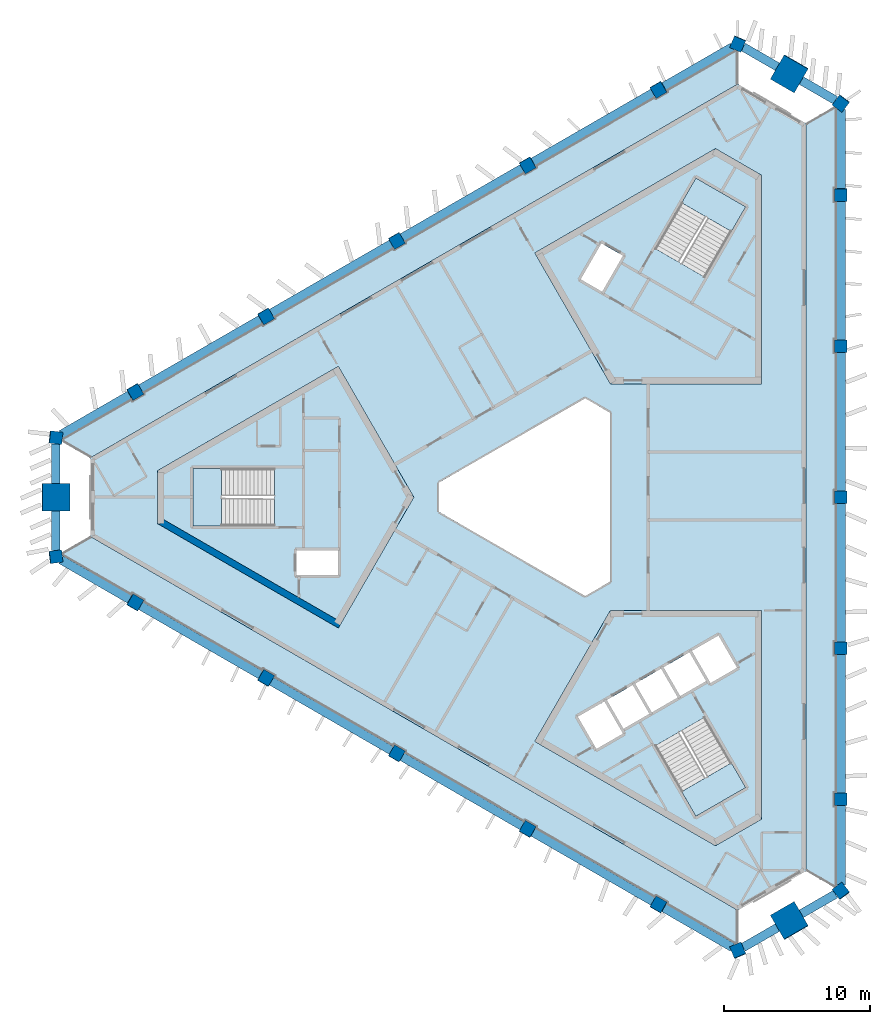
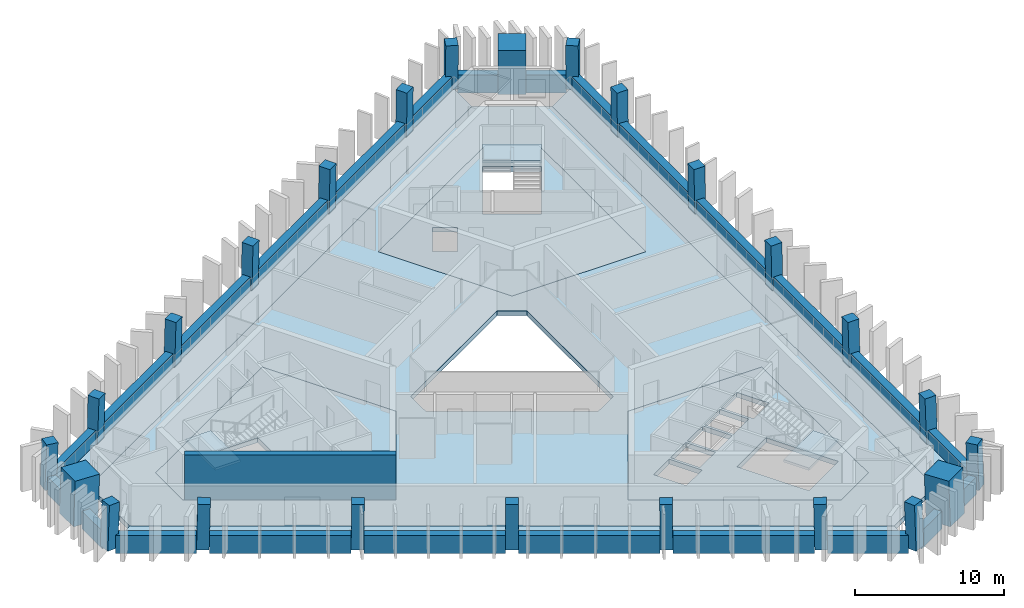
# One storey, part 1 of 9: 24 beams, 24 columns, 10 slabs, 1 wall, 3 elements without a shape of their own.
"""IFC4 building model written with IfcOpenShell, lengths in metres."""

import ifcopenshell
import ifcopenshell.guid

model = None  # the IFC model being written
_history = None  # IfcOwnerHistory: only IFC2X3 demands one
_inside = {}  # id of a spatial element -> (the spatial element, [elements in it])
_under = {}  # id of a project, library or spatial element -> (it, [spatial elements below it])
_declared = {}  # id of a project -> (the project, [libraries it declares])
_typed = {}  # id of a type object -> (the type object, [elements of that type])
_made_of = {}  # id of a material, layer set ... -> (it, [elements and type objects made of it])


def new_model(schema):
    """Start an empty IFC model of exactly this schema.

    Asked for "IFC4X3", IfcOpenShell would pick the latest addendum, in which some entities
    have other attributes; the version numbers below select the first issue.
    IFC2X3 requires an IfcOwnerHistory on every rooted entity: one is made here for all.
    """
    global model, _history
    if schema == "IFC4X3":
        model = ifcopenshell.file(schema_version=(4, 3, 0, 0))
    else:
        model = ifcopenshell.file(schema=schema)
    _inside.clear()
    _under.clear()
    _declared.clear()
    _typed.clear()
    _made_of.clear()
    _history = None
    if model.schema == "IFC2X3":
        org = make("IfcOrganization", Name="unknown")
        user = make(
            "IfcPersonAndOrganization",
            ThePerson=make("IfcPerson", FamilyName="unknown"),
            TheOrganization=org,
        )
        app = make(
            "IfcApplication",
            ApplicationDeveloper=org,
            Version="unknown",
            ApplicationFullName="unknown",
            ApplicationIdentifier="unknown",
        )
        _history = make(
            "IfcOwnerHistory",
            OwningUser=user,
            OwningApplication=app,
            ChangeAction="ADDED",
            CreationDate=0,
        )
    return model


def make(cls, **values):
    """One entity of the class cls with the attributes given. An attribute that is None is left unset."""
    return model.create_entity(
        cls, **{name: value for name, value in values.items() if value is not None}
    )


def rooted(cls, **values):
    """An entity with a GlobalId (a new one), such as an element, a storey or a relation."""
    return make(cls, GlobalId=ifcopenshell.guid.new(), OwnerHistory=_history, **values)


def si_unit(unit_type, name, prefix=None):
    """IfcSIUnit, for example si_unit("LENGTHUNIT", "METRE", prefix="MILLI")."""
    return make("IfcSIUnit", UnitType=unit_type, Prefix=prefix, Name=name)


def assignment(units):
    """IfcUnitAssignment: the units of a project."""
    return None if units is None else make("IfcUnitAssignment", Units=units)


def point(xyz):
    """IfcCartesianPoint."""
    return None if xyz is None else make("IfcCartesianPoint", Coordinates=xyz)


def direction(xyz):
    """IfcDirection."""
    return None if xyz is None else make("IfcDirection", DirectionRatios=xyz)


def frame(location, z_axis=None, x_axis=None):
    """IfcAxis2Placement3D, a coordinate frame: its origin and axes. An axis left out is left unset."""
    return make(
        "IfcAxis2Placement3D",
        Location=point(location),
        Axis=direction(z_axis),
        RefDirection=direction(x_axis),
    )


def frame_2d(location, x_axis=None):
    """IfcAxis2Placement2D, a coordinate frame in the plane: its origin and x axis."""
    return make(
        "IfcAxis2Placement2D", Location=point(location), RefDirection=direction(x_axis)
    )


def origin():
    """The frame at (0, 0, 0) with its axes left unset."""
    return frame((0.0, 0.0, 0.0))


def origin_2d():
    """The frame at (0, 0) in the plane with its x axis left unset."""
    return frame_2d((0.0, 0.0))


def place(relative_to, where):
    """IfcLocalPlacement: puts the frame where relative to a parent placement (None: the world)."""
    return make(
        "IfcLocalPlacement", PlacementRelTo=relative_to, RelativePlacement=where
    )


def context(
    kind, dimensions, precision=None, world=None, true_north=None, identifier=None
):
    """IfcGeometricRepresentationContext, for example the 3D "Model" context."""
    return make(
        "IfcGeometricRepresentationContext",
        ContextIdentifier=identifier,
        ContextType=kind,
        CoordinateSpaceDimension=dimensions,
        Precision=precision,
        WorldCoordinateSystem=world,
        TrueNorth=true_north,
    )


def subcontext(parent, identifier, kind, view, scale=None):
    """IfcGeometricRepresentationSubContext, for example "Body" below "Model"."""
    return make(
        "IfcGeometricRepresentationSubContext",
        ContextIdentifier=identifier,
        ContextType=kind,
        ParentContext=parent,
        TargetScale=scale,
        TargetView=view,
    )


def project(units=None, contexts=None):
    """IfcProject with its units and contexts."""
    return rooted(
        "IfcProject",
        Name="project",
        RepresentationContexts=contexts,
        UnitsInContext=assignment(units),
    )


def spatial(cls, under=None, at=None, **own):
    """A site, building, storey or space (cls), placed at a placement, below another one or the project."""
    s = rooted(cls, ObjectPlacement=at, **own)
    if under is not None:
        _under.setdefault(under.id(), (under, []))[1].append(s)
    return s


def polyline(points):
    """IfcPolyline through the points."""
    return make("IfcPolyline", Points=[point(p) for p in points])


def profile(cls, at=None, kind="AREA", **sizes):
    """A parametric profile (cls). Its sizes go by their IFC names, for example OverallWidth=200.0."""
    return make(cls, ProfileType=kind, Position=at, **sizes)


def rectangle(**sizes):
    """IfcRectangleProfileDef."""
    return profile("IfcRectangleProfileDef", **sizes)


def outline(outer, holes=None, kind="AREA"):
    """IfcArbitraryClosedProfileDef: a profile drawn as a closed curve; with holes, ...WithVoids."""
    if holes is None:
        return make("IfcArbitraryClosedProfileDef", ProfileType=kind, OuterCurve=outer)
    return make(
        "IfcArbitraryProfileDefWithVoids",
        ProfileType=kind,
        OuterCurve=outer,
        InnerCurves=holes,
    )


def extrude(swept, where, along, depth):
    """IfcExtrudedAreaSolid: the profile swept, set in the frame where, extruded along a direction by depth."""
    return make(
        "IfcExtrudedAreaSolid",
        SweptArea=swept,
        Position=where,
        ExtrudedDirection=direction(along),
        Depth=depth,
    )


def shape(context_of_items, identifier, shape_type, items):
    """IfcShapeRepresentation: the items that make up one representation, for example the "Body"."""
    return make(
        "IfcShapeRepresentation",
        ContextOfItems=context_of_items,
        RepresentationIdentifier=identifier,
        RepresentationType=shape_type,
        Items=items,
    )


def material(Name=None, Category=None):
    """IfcMaterial."""
    return make("IfcMaterial", Name=Name, Category=Category)


def layer(
    of_material, thickness, ventilated=None, Name=None, Category=None, Priority=None
):
    """IfcMaterialLayer: one layer of a wall or slab, of a material (None: an air gap)."""
    return make(
        "IfcMaterialLayer",
        Material=of_material,
        LayerThickness=thickness,
        IsVentilated=ventilated,
        Name=Name,
        Category=Category,
        Priority=Priority,
    )


def layer_set(layers, Name=None):
    """IfcMaterialLayerSet."""
    return make("IfcMaterialLayerSet", MaterialLayers=layers, LayerSetName=Name)


def material_profile(
    of_material, cross_section, Name=None, Category=None, Priority=None
):
    """IfcMaterialProfile: a cross section and its material."""
    return make(
        "IfcMaterialProfile",
        Name=Name,
        Material=of_material,
        Profile=cross_section,
        Priority=Priority,
        Category=Category,
    )


def profile_set(profiles, Name=None, composite=None):
    """IfcMaterialProfileSet."""
    return make(
        "IfcMaterialProfileSet",
        Name=Name,
        MaterialProfiles=profiles,
        CompositeProfile=composite,
    )


def made_of(thing, what):
    """Note that an element or type object is made of a material, layer set ...; save() writes the relation."""
    if what is not None:
        _made_of.setdefault(what.id(), (what, []))[1].append(thing)
    return thing


def type_object(cls, material=None, **own):
    """A type object (cls), such as IfcWallType, which elements share."""
    return made_of(rooted(cls, **own), material)


def element(
    cls,
    number,
    at=None,
    inside=None,
    cuts=None,
    type_object=None,
    material=None,
    context=None,
    identifier="Body",
    shape_type=None,
    held_by="IfcProductDefinitionShape",
    body=None,
    shapes=None,
    **own,
):
    """One element of the class cls, such as IfcWall. Its Tag is "e" and its number.

    at: its placement. inside: the storey or other place that contains it. cuts: it is an
    opening in that element (IfcRelVoidsElement). A single representation is given by context,
    identifier, shape_type and body (its items); several are given by shapes. held_by: the class
    of the entity that holds the representations. save() writes the other relations.
    """
    e = rooted(cls, Tag="e%d" % number, ObjectPlacement=at, **own)
    if body is not None:
        shapes = [shape(context, identifier, shape_type, body)]
    if shapes is not None:
        e.Representation = make(held_by, Representations=shapes)
    if inside is not None:
        _inside.setdefault(inside.id(), (inside, []))[1].append(e)
    if cuts is not None:
        rooted(
            "IfcRelVoidsElement", RelatingBuildingElement=cuts, RelatedOpeningElement=e
        )
    if type_object is not None:
        _typed.setdefault(type_object.id(), (type_object, []))[1].append(e)
    return made_of(e, material)


def aggregate(whole, parts):
    """IfcRelAggregates: a whole, such as a stair, and the parts it consists of."""
    return rooted("IfcRelAggregates", RelatingObject=whole, RelatedObjects=parts)


def save(model, path):
    """Write the relations noted so far, then the file.

    IfcRelAggregates (storeys below a building ...), IfcRelContainedInSpatialStructure (elements
    in a storey), IfcRelDefinesByType, IfcRelAssociatesMaterial and IfcRelDeclares: one each for
    every whole, place, type object, material and project.
    """
    for whole, parts in _under.values():
        aggregate(whole, parts)
    for where, things in _inside.values():
        rooted(
            "IfcRelContainedInSpatialStructure",
            RelatedElements=things,
            RelatingStructure=where,
        )
    for kind, things in _typed.values():
        rooted("IfcRelDefinesByType", RelatedObjects=things, RelatingType=kind)
    for what, things in _made_of.values():
        rooted("IfcRelAssociatesMaterial", RelatedObjects=things, RelatingMaterial=what)
    for by, libraries in _declared.values():
        rooted("IfcRelDeclares", RelatingContext=by, RelatedDefinitions=libraries)
    model.write(path)


model = new_model("IFC4")

# Units and contexts
model_context = context("Model", 3, precision=1e-05, world=origin(), true_north=direction((0.0, 1.0)))
body_context = subcontext(model_context, "Body", "Model", "MODEL_VIEW")
ifc_project = project(units=[si_unit("LENGTHUNIT", "METRE"), si_unit("AREAUNIT", "SQUARE_METRE"), si_unit("VOLUMEUNIT", "CUBIC_METRE"), si_unit("PLANEANGLEUNIT", "RADIAN"), si_unit("MASSUNIT", "GRAM", prefix="KILO")], contexts=[model_context])

# Site, building, storey
site_placement = place(None, origin())
site = spatial("IfcSite", under=ifc_project, at=site_placement, CompositionType="ELEMENT")
building_placement = place(site_placement, origin())
building = spatial("IfcBuilding", under=site, at=building_placement, Name="Jabali Bay Hotel Tower and Convention Centre", CompositionType="ELEMENT")
storey_placement = place(building_placement, frame((0.0, 0.0, 213.199951171875)))
storey = spatial("IfcBuildingStorey", under=building, at=storey_placement, Name="L52", CompositionType="ELEMENT", Elevation=213.199951171875)

# Columns
ifc_material_1 = material(Name="Concrete C60", Category="concrete")
ifc_material_profile_1 = material_profile(ifc_material_1, rectangle(XDim=0.85009765625, YDim=0.85009765625, at=origin_2d()), Name="Frame column 850")
ifc_profile_set_1 = profile_set([ifc_material_profile_1], Name="Concrete C60")
column_type_1 = type_object("IfcColumnType", Name="Frame column 850", PredefinedType="COLUMN", material=ifc_profile_set_1)
column_1_placement = place(storey_placement, frame((82.81396484375, 108.010986328125, 0.0), z_axis=(-0.00837646992, -0.028097450282, 0.999570091609), x_axis=(0.866168540849, 0.499298149106, 0.021293593943)))
element("IfcColumn", 1, at=column_1_placement, inside=storey, type_object=column_type_1, Name="FC5 F1.1 L52", PredefinedType="COLUMN", context=body_context, shape_type="SweptSolid", body=[
    extrude(rectangle(XDim=0.85009765625, YDim=0.85009765625, at=origin_2d()), origin(), (0.0, 0.0, 1.0), 3.70166015625),
])
column_2_placement = place(storey_placement, frame((73.819091796875, 102.81787109375, 0.0), z_axis=(0.000857580205, -0.022758859284, 0.9997406158), x_axis=(0.86599968756, 0.499931370183, 0.010637962836)))
element("IfcColumn", 2, at=column_2_placement, inside=storey, type_object=column_type_1, Name="FC5 F1.2 L52", PredefinedType="COLUMN", context=body_context, shape_type="SweptSolid", body=[
    extrude(rectangle(XDim=0.85009765625, YDim=0.85009765625, at=origin_2d()), origin(), (0.0, 0.0, 1.0), 3.700927734375),
])
column_3_placement = place(storey_placement, frame((64.82421875, 97.624755859375, 0.0), z_axis=(0.010093620709, -0.017482414954, 0.999796221231), x_axis=(0.866011056618, 0.500024849197, 4.54858e-07)))
element("IfcColumn", 3, at=column_3_placement, inside=storey, type_object=column_type_1, Name="FC5 F1.3 L52", PredefinedType="COLUMN", context=body_context, shape_type="SweptSolid", body=[
    extrude(rectangle(XDim=0.85009765625, YDim=0.85009765625, at=origin_2d()), origin(), (0.0, 0.0, 1.0), 3.70068359375),
])
column_4_placement = place(storey_placement, frame((55.82958984375, 92.431640625, 0.0), z_axis=(0.019328516974, -0.012138044789, 0.999739504221), x_axis=(-0.500205614953, 0.865671455024, 0.020181048691)))
element("IfcColumn", 4, at=column_4_placement, inside=storey, type_object=column_type_1, Name="FC5 F1.4 L52", PredefinedType="COLUMN", context=body_context, shape_type="SweptSolid", body=[
    extrude(rectangle(XDim=0.85009765625, YDim=0.85009765625, at=origin_2d()), origin(), (0.0, 0.0, 1.0), 3.700927734375),
])
for number, where, z_axis, x_axis, name in (
    (5, (46.834716796875, 87.238525390625, 0.0), (0.02855911485, -0.006793507689, 0.999569019734), (-0.500407643461, 0.865554709988, 0.020180049142), "FC5 F1.5 L52"),
    (6, (46.834716796875, 72.761474609375, 0.0), (0.02855911485, 0.006793507689, 0.999569019734), (-0.865318766308, 0.500768301983, 0.021319953197), "FC5 F2.1 L52"),
):
    element("IfcColumn", number, at=place(storey_placement, frame(where, z_axis=z_axis, x_axis=x_axis)), inside=storey, type_object=column_type_1, Name=name, PredefinedType="COLUMN", context=body_context, shape_type="SweptSolid", body=[
        extrude(rectangle(XDim=0.85009765625, YDim=0.85009765625, at=origin_2d()), origin(), (0.0, 0.0, 1.0), 3.70166015625),
    ])
column_5_placement = place(storey_placement, frame((55.82958984375, 67.568359375, 0.0), z_axis=(0.019328516974, 0.012138044789, 0.999739504221), x_axis=(-0.865690909737, 0.500465383244, 0.010660627254)))
element("IfcColumn", 7, at=column_5_placement, inside=storey, type_object=column_type_1, Name="FC5 F2.2 L52", PredefinedType="COLUMN", context=body_context, shape_type="SweptSolid", body=[
    extrude(rectangle(XDim=0.85009765625, YDim=0.85009765625, at=origin_2d()), origin(), (0.0, 0.0, 1.0), 3.700927734375),
])
column_6_placement = place(storey_placement, frame((64.82421875, 62.375244140625, 0.0), z_axis=(0.010093620709, 0.017482414954, 0.999796221231), x_axis=(-0.499922962701, -0.86583457736, 0.020187025819)))
element("IfcColumn", 8, at=column_6_placement, inside=storey, type_object=column_type_1, Name="FC5 F2.3 L52", PredefinedType="COLUMN", context=body_context, shape_type="SweptSolid", body=[
    extrude(rectangle(XDim=0.85009765625, YDim=0.85009765625, at=origin_2d()), origin(), (0.0, 0.0, 1.0), 3.70068359375),
])
column_7_placement = place(storey_placement, frame((73.819091796875, 57.18212890625, 0.0), z_axis=(0.000857580205, 0.022758859284, 0.9997406158), x_axis=(-0.500043803784, -0.865765938017, 0.020137896276)))
element("IfcColumn", 9, at=column_7_placement, inside=storey, type_object=column_type_1, Name="FC5 F2.4 L52", PredefinedType="COLUMN", context=body_context, shape_type="SweptSolid", body=[
    extrude(rectangle(XDim=0.85009765625, YDim=0.85009765625, at=origin_2d()), origin(), (0.0, 0.0, 1.0), 3.700927734375),
])
for number, where, z_axis, x_axis, name in (
    (10, (82.81396484375, 51.989013671875, 0.0), (-0.00837646992, 0.028097450282, 0.999570091609), (-0.49968179234, -0.865974532874, 0.020154771585), "FC5 F2.5 L52"),
    (11, (95.351318359375, 59.2275390625, 0.0), (-0.020182659751, 0.021303918626, 0.999569308901), (0.000227900758, -0.999772829271, 0.021312857901), "FC5 F0.1 L52"),
):
    element("IfcColumn", number, at=place(storey_placement, frame(where, z_axis=z_axis, x_axis=x_axis)), inside=storey, type_object=column_type_1, Name=name, PredefinedType="COLUMN", context=body_context, shape_type="SweptSolid", body=[
        extrude(rectangle(XDim=0.85009765625, YDim=0.85009765625, at=origin_2d()), origin(), (0.0, 0.0, 1.0), 3.70166015625),
    ])
column_8_placement = place(storey_placement, frame((95.351318359375, 69.61376953125, 0.0), z_axis=(-0.020186102726, 0.010620792611, 0.999739826165), x_axis=(0.001527236974, -0.999942080601, 0.010653778257)))
element("IfcColumn", 12, at=column_8_placement, inside=storey, type_object=column_type_1, Name="FC5 F0.2 L52", PredefinedType="COLUMN", context=body_context, shape_type="SweptSolid", body=[
    extrude(rectangle(XDim=0.85009765625, YDim=0.85009765625, at=origin_2d()), origin(), (0.0, 0.0, 1.0), 3.700927734375),
])
column_9_placement = place(storey_placement, frame((95.351318359375, 80.0, 0.0), z_axis=(-0.020187241331, 0.0, 0.99979621688), x_axis=(0.0, -1.0, 0.0)))
element("IfcColumn", 13, at=column_9_placement, inside=storey, type_object=column_type_1, Name="FC5 F0.3 L52", PredefinedType="COLUMN", context=body_context, shape_type="SweptSolid", body=[
    extrude(rectangle(XDim=0.85009765625, YDim=0.85009765625, at=origin_2d()), origin(), (0.0, 0.0, 1.0), 3.70068359375),
])
column_10_placement = place(storey_placement, frame((95.351318359375, 90.38623046875, 0.0), z_axis=(-0.020186102726, -0.010620792611, 0.999739826165), x_axis=(0.999795073405, -0.001741897889, 0.020168713091)))
element("IfcColumn", 14, at=column_10_placement, inside=storey, type_object=column_type_1, Name="FC5 F0.4 L52", PredefinedType="COLUMN", context=body_context, shape_type="SweptSolid", body=[
    extrude(rectangle(XDim=0.85009765625, YDim=0.85009765625, at=origin_2d()), origin(), (0.0, 0.0, 1.0), 3.700927734375),
])
column_11_placement = place(storey_placement, frame((95.351318359375, 100.7724609375, 0.0), z_axis=(-0.020182659751, -0.021303918626, 0.999569308901), x_axis=(0.999796283403, -0.000657952763, 0.020173219662)))
element("IfcColumn", 15, at=column_11_placement, inside=storey, type_object=column_type_1, Name="FC5 F0.5 L52", PredefinedType="COLUMN", context=body_context, shape_type="SweptSolid", body=[
    extrude(rectangle(XDim=0.85009765625, YDim=0.85009765625, at=origin_2d()), origin(), (0.0, 0.0, 1.0), 3.70166015625),
])
for number, where, z_axis, x_axis, name in (
    (16, (95.351318359375, 52.931884765625, 0.0), (-0.020178741915, 0.029015184452, 0.999375273581), (-0.799395553745, -0.600803671998, 0.001302446469), "FC5 V0 L52"),
    (17, (95.351318359375, 107.068115234375, 0.0), (-0.020178741915, -0.029015184452, 0.999375273581), (0.600466124796, 0.798869868492, 0.035318071681), "FC5 V1 L52"),
    (18, (88.265869140625, 111.158935546875, 0.0), (-0.015035141917, -0.031982648376, 0.99937533225), (0.920043883105, -0.391813165225, 0.00130258134), "FC5 V2 L52"),
    (19, (41.382568359375, 84.0908203125, 0.0), (0.03521388716, -0.002967462401, 0.999375393092), (-0.992074225191, 0.120588574935, 0.035314689682), "FC5 V3 L52"),
    (20, (41.382568359375, 75.9091796875, 0.0), (0.03521388716, 0.002967462401, 0.999375393092), (-0.120618049491, 0.992698136274, 0.001302449508), "FC5 V4 L52"),
    (21, (88.265869140625, 48.841064453125, 0.0), (-0.015035141917, 0.031982648376, 0.99937533225), (0.391526752175, -0.919488745858, 0.035316406548), "FC5 V5 L52"),
):
    element("IfcColumn", number, at=place(storey_placement, frame(where, z_axis=z_axis, x_axis=x_axis)), inside=storey, type_object=column_type_1, Name=name, PredefinedType="COLUMN", context=body_context, shape_type="SweptSolid", body=[
        extrude(rectangle(XDim=0.85009765625, YDim=0.85009765625, at=origin_2d()), origin(), (0.0, 0.0, 1.0), 3.7021484375),
    ])
ifc_material_2 = material(Name="Concrete C70", Category="concrete")
ifc_material_profile_2 = material_profile(ifc_material_2, rectangle(XDim=1.89990234375, YDim=1.89990234375, at=origin_2d()), Name="Mega column 1900")
ifc_profile_set_2 = profile_set([ifc_material_profile_2], Name="Concrete C70")
column_type_2 = type_object("IfcColumnType", Name="Mega column 1900", PredefinedType="COLUMN", material=ifc_profile_set_2)
for number, where, z_axis, x_axis, name in (
    (22, (91.80859375, 109.113525390625, 0.0), (-0.017607001884, -0.030531992032, 0.999378702468), (0.866280455458, -0.499557977108, 1.01498e-07), "MC5 M1 L52"),
    (23, (41.382568359375, 80.0, 0.0), (0.035214042205, 0.0, 0.999379793288), (0.0, 1.0, 0.0), "MC5 M0 L52"),
    (24, (91.80859375, 50.886474609375, 0.0), (-0.017607001884, 0.030531992032, 0.999378702468), (0.499247599871, -0.865742239336, 0.035244986208), "MC5 M2 L52"),
):
    element("IfcColumn", number, at=place(storey_placement, frame(where, z_axis=z_axis, x_axis=x_axis)), inside=storey, type_object=column_type_2, Name=name, PredefinedType="COLUMN", context=body_context, shape_type="SweptSolid", body=[
        extrude(rectangle(XDim=1.89990234375, YDim=1.89990234375, at=origin_2d()), origin(), (0.0, 0.0, 1.0), 3.7021484375),
    ])

# Beams
ifc_material_profile_3 = material_profile(ifc_material_1, rectangle(XDim=0.60009765625, YDim=1.449951171875, at=origin_2d()), Name="Spandrel 600x1450")
ifc_profile_set_3 = profile_set([ifc_material_profile_3], Name="Concrete C60")
beam_type = type_object("IfcBeamType", Name="Spandrel 600x1450", PredefinedType="SPANDREL", material=ifc_profile_set_3)
beam_1_placement = place(storey_placement, frame((90.979248046875, 109.576904296875, 0.375), z_axis=(-0.865998365587, 0.500046828608, 0.0), x_axis=(-0.500046828608, -0.865998365587, 0.0)))
element("IfcBeam", 25, at=beam_1_placement, inside=storey, type_object=beam_type, Name="Spandrel M1-V2 L52", PredefinedType="SPANDREL", context=body_context, shape_type="SweptSolid", body=[
    extrude(rectangle(XDim=0.60009765625, YDim=1.449951171875, at=origin_2d()), origin(), (0.0, 0.0, 1.0), 2.714599609375),
])
beam_2_placement = place(storey_placement, frame((87.892333984375, 110.934326171875, 0.375), z_axis=(-0.866042916308, -0.499969666192, 0.0), x_axis=(0.499969666192, -0.866042916308, 0.0)))
element("IfcBeam", 26, at=beam_2_placement, inside=storey, type_object=beam_type, Name="Spandrel V2-F1.1 L52", PredefinedType="SPANDREL", context=body_context, shape_type="SweptSolid", body=[
    extrude(rectangle(XDim=0.60009765625, YDim=1.449951171875, at=origin_2d()), origin(), (0.0, 0.0, 1.0), 5.442626953125),
])
beam_3_placement = place(storey_placement, frame((82.442626953125, 107.7880859375, 0.375), z_axis=(-0.866024789953, -0.500001063185, 0.0), x_axis=(0.500001063185, -0.866024789953, 0.0)))
element("IfcBeam", 27, at=beam_3_placement, inside=storey, type_object=beam_type, Name="Spandrel F1.1-F1.2 L52", PredefinedType="SPANDREL", context=body_context, shape_type="SweptSolid", body=[
    extrude(rectangle(XDim=0.60009765625, YDim=1.449951171875, at=origin_2d()), origin(), (0.0, 0.0, 1.0), 9.5322265625),
])
beam_4_placement = place(storey_placement, frame((73.451416015625, 102.596923828125, 0.375), z_axis=(-0.866031192814, -0.499989972973, 0.0), x_axis=(0.499989972973, -0.866031192814, 0.0)))
element("IfcBeam", 28, at=beam_4_placement, inside=storey, type_object=beam_type, Name="Spandrel F1.2-F1.3 L52", PredefinedType="SPANDREL", context=body_context, shape_type="SweptSolid", body=[
    extrude(rectangle(XDim=0.60009765625, YDim=1.449951171875, at=origin_2d()), origin(), (0.0, 0.0, 1.0), 9.532470703125),
])
for number, where, z_axis, x_axis, name in (
    (29, (64.4599609375, 97.40576171875, 0.375), (-0.866024789953, -0.500001063185, 0.0), (0.500001063185, -0.866024789953, 0.0), "Spandrel F1.3-F1.4 L52"),
    (30, (55.46875, 92.214599609375, 0.375), (-0.866024789953, -0.500001063185, 0.0), (0.500001063185, -0.866024789953, 0.0), "Spandrel F1.4-F1.5 L52"),
):
    element("IfcBeam", number, at=place(storey_placement, frame(where, z_axis=z_axis, x_axis=x_axis)), inside=storey, type_object=beam_type, Name=name, PredefinedType="SPANDREL", context=body_context, shape_type="SweptSolid", body=[
        extrude(rectangle(XDim=0.60009765625, YDim=1.449951171875, at=origin_2d()), origin(), (0.0, 0.0, 1.0), 9.5322265625),
    ])
beam_5_placement = place(storey_placement, frame((46.477294921875, 87.0234375, 0.375), z_axis=(-0.86603170291, -0.499989089435, 0.0), x_axis=(0.499989089435, -0.86603170291, 0.0)))
element("IfcBeam", 31, at=beam_5_placement, inside=storey, type_object=beam_type, Name="Spandrel F1.5-V3 L52", PredefinedType="SPANDREL", context=body_context, shape_type="SweptSolid", body=[
    extrude(rectangle(XDim=0.60009765625, YDim=1.449951171875, at=origin_2d()), origin(), (0.0, 0.0, 1.0), 5.4423828125),
])
for number, where, z_axis, x_axis, name in (
    (32, (41.39599609375, 83.66455078125, 0.375), (0.0, -1.0, 0.0), (1.0, 0.0, 0.0), "Spandrel V3-M0 L52"),
    (33, (41.39599609375, 79.050048828125, 0.375), (0.0, -1.0, 0.0), (1.0, 0.0, 0.0), "Spandrel M0-V4 L52"),
):
    element("IfcBeam", number, at=place(storey_placement, frame(where, z_axis=z_axis, x_axis=x_axis)), inside=storey, type_object=beam_type, Name=name, PredefinedType="SPANDREL", context=body_context, shape_type="SweptSolid", body=[
        extrude(rectangle(XDim=0.60009765625, YDim=1.449951171875, at=origin_2d()), origin(), (0.0, 0.0, 1.0), 2.714599609375),
    ])
beam_6_placement = place(storey_placement, frame((41.763916015625, 75.69775390625, 0.375), z_axis=(0.86603170291, -0.499989089435, 0.0), x_axis=(0.499989089435, 0.86603170291, 0.0)))
element("IfcBeam", 34, at=beam_6_placement, inside=storey, type_object=beam_type, Name="Spandrel V4-F2.1 L52", PredefinedType="SPANDREL", context=body_context, shape_type="SweptSolid", body=[
    extrude(rectangle(XDim=0.60009765625, YDim=1.449951171875, at=origin_2d()), origin(), (0.0, 0.0, 1.0), 5.4423828125),
])
for number, where, z_axis, x_axis, name in (
    (35, (47.213623046875, 72.551513671875, 0.375), (0.866024789953, -0.500001063185, 0.0), (0.500001063185, 0.866024789953, 0.0), "Spandrel F2.1-F2.2 L52"),
    (36, (56.204833984375, 67.3603515625, 0.375), (0.866024789953, -0.500001063185, 0.0), (0.500001063185, 0.866024789953, 0.0), "Spandrel F2.2-F2.3 L52"),
):
    element("IfcBeam", number, at=place(storey_placement, frame(where, z_axis=z_axis, x_axis=x_axis)), inside=storey, type_object=beam_type, Name=name, PredefinedType="SPANDREL", context=body_context, shape_type="SweptSolid", body=[
        extrude(rectangle(XDim=0.60009765625, YDim=1.449951171875, at=origin_2d()), origin(), (0.0, 0.0, 1.0), 9.5322265625),
    ])
beam_7_placement = place(storey_placement, frame((65.196044921875, 62.169189453125, 0.375), z_axis=(0.866031192814, -0.499989972973, 0.0), x_axis=(0.499989972973, 0.866031192814, 0.0)))
element("IfcBeam", 37, at=beam_7_placement, inside=storey, type_object=beam_type, Name="Spandrel F2.3-F2.4 L52", PredefinedType="SPANDREL", context=body_context, shape_type="SweptSolid", body=[
    extrude(rectangle(XDim=0.60009765625, YDim=1.449951171875, at=origin_2d()), origin(), (0.0, 0.0, 1.0), 9.532470703125),
])
beam_8_placement = place(storey_placement, frame((74.1875, 56.97802734375, 0.375), z_axis=(0.866024789953, -0.500001063185, 0.0), x_axis=(0.500001063185, 0.866024789953, 0.0)))
element("IfcBeam", 38, at=beam_8_placement, inside=storey, type_object=beam_type, Name="Spandrel F2.4-F2.5 L52", PredefinedType="SPANDREL", context=body_context, shape_type="SweptSolid", body=[
    extrude(rectangle(XDim=0.60009765625, YDim=1.449951171875, at=origin_2d()), origin(), (0.0, 0.0, 1.0), 9.5322265625),
])
beam_9_placement = place(storey_placement, frame((83.1787109375, 51.786865234375, 0.375), z_axis=(0.866042916308, -0.499969666192, 0.0), x_axis=(0.499969666192, 0.866042916308, 0.0)))
element("IfcBeam", 39, at=beam_9_placement, inside=storey, type_object=beam_type, Name="Spandrel F2.5-V5 L52", PredefinedType="SPANDREL", context=body_context, shape_type="SweptSolid", body=[
    extrude(rectangle(XDim=0.60009765625, YDim=1.449951171875, at=origin_2d()), origin(), (0.0, 0.0, 1.0), 5.442626953125),
])
for number, where, z_axis, x_axis, name in (
    (40, (88.62841796875, 49.065673828125, 0.375), (0.865998365587, 0.500046828608, 0.0), (-0.500046828608, 0.865998365587, 0.0), "Spandrel V5-M2 L52"),
    (41, (92.624755859375, 51.373046875, 0.375), (0.866059791431, 0.499940434119, 0.0), (-0.499940434119, 0.866059791431, 0.0), "Spandrel M2-V0 L52"),
):
    element("IfcBeam", number, at=place(storey_placement, frame(where, z_axis=z_axis, x_axis=x_axis)), inside=storey, type_object=beam_type, Name=name, PredefinedType="SPANDREL", context=body_context, shape_type="SweptSolid", body=[
        extrude(rectangle(XDim=0.60009765625, YDim=1.449951171875, at=origin_2d()), origin(), (0.0, 0.0, 1.0), 2.714599609375),
    ])
beam_10_placement = place(storey_placement, frame((95.34375, 53.367919921875, 0.375), z_axis=(0.0, 1.0, 0.0), x_axis=(-1.0, 0.0, 0.0)))
element("IfcBeam", 42, at=beam_10_placement, inside=storey, type_object=beam_type, Name="Spandrel V0-F0.1 L52", PredefinedType="SPANDREL", context=body_context, shape_type="SweptSolid", body=[
    extrude(rectangle(XDim=0.60009765625, YDim=1.449951171875, at=origin_2d()), origin(), (0.0, 0.0, 1.0), 5.442626953125),
])
for number, where, z_axis, x_axis, name in (
    (43, (95.34375, 59.660400390625, 0.375), (0.0, 1.0, 0.0), (-1.0, 0.0, 0.0), "Spandrel F0.1-F0.2 L52"),
    (44, (95.34375, 70.042724609375, 0.375), (0.0, 1.0, 0.0), (-1.0, 0.0, 0.0), "Spandrel F0.2-F0.3 L52"),
    (45, (95.34375, 80.425048828125, 0.375), (0.0, 1.0, 0.0), (-1.0, 0.0, 0.0), "Spandrel F0.3-F0.4 L52"),
    (46, (95.34375, 90.807373046875, 0.375), (0.0, 1.0, 0.0), (-1.0, 0.0, 0.0), "Spandrel F0.4-F0.5 L52"),
):
    element("IfcBeam", number, at=place(storey_placement, frame(where, z_axis=z_axis, x_axis=x_axis)), inside=storey, type_object=beam_type, Name=name, PredefinedType="SPANDREL", context=body_context, shape_type="SweptSolid", body=[
        extrude(rectangle(XDim=0.60009765625, YDim=1.449951171875, at=origin_2d()), origin(), (0.0, 0.0, 1.0), 9.5322265625),
    ])
beam_11_placement = place(storey_placement, frame((95.34375, 101.189453125, 0.375), z_axis=(0.0, 1.0, 0.0), x_axis=(-1.0, 0.0, 0.0)))
element("IfcBeam", 47, at=beam_11_placement, inside=storey, type_object=beam_type, Name="Spandrel F0.5-V1 L52", PredefinedType="SPANDREL", context=body_context, shape_type="SweptSolid", body=[
    extrude(rectangle(XDim=0.60009765625, YDim=1.449951171875, at=origin_2d()), origin(), (0.0, 0.0, 1.0), 5.442626953125),
])
beam_12_placement = place(storey_placement, frame((94.975830078125, 107.269775390625, 0.375), z_axis=(-0.866059791431, 0.499940434119, 0.0), x_axis=(-0.499940434119, -0.866059791431, 0.0)))
element("IfcBeam", 48, at=beam_12_placement, inside=storey, type_object=beam_type, Name="Spandrel V1-M1 L52", PredefinedType="SPANDREL", context=body_context, shape_type="SweptSolid", body=[
    extrude(rectangle(XDim=0.60009765625, YDim=1.449951171875, at=origin_2d()), origin(), (0.0, 0.0, 1.0), 2.714599609375),
])

# Slabs
ifc_material_3 = material(Name="Concrete C40", Category="concrete")
ifc_layer_1 = layer(ifc_material_3, 0.39990234375)
ifc_layer_set_1 = layer_set([ifc_layer_1], Name="Concrete C40")
slab_type_1 = type_object("IfcSlabType", Name="Core floor slab 400", PredefinedType="FLOOR", material=ifc_layer_set_1)
slab_1_placement = place(storey_placement, frame((0.0, 0.0, -0.39990234375)))
element("IfcSlab", 49, at=slab_1_placement, inside=storey, type_object=slab_type_1, Name="Core floor slab 1 L52", PredefinedType="FLOOR", context=body_context, shape_type="SweptSolid", body=[
    extrude(outline(polyline([(66.0, 80.0), (60.81005859375, 88.9892578125), (48.39697265625, 81.82275390625), (48.39697265625, 78.17724609375), (60.81005859375, 71.0107421875), (66.0, 80.0)]), holes=[polyline([(60.800048828125, 76.35009765625), (57.949951171875, 76.35009765625), (57.949951171875, 74.64990234375), (60.800048828125, 74.64990234375), (60.800048828125, 76.35009765625)]), polyline([(50.820068359375, 81.97509765625), (50.820068359375, 78.02490234375), (56.409912109375, 78.02490234375), (56.409912109375, 81.97509765625), (50.820068359375, 81.97509765625)])]), origin(), (0.0, 0.0, 1.0), 0.39990234375),
])
slab_2_placement = place(storey_placement, frame((0.0, 0.0, -0.39990234375)))
element("IfcSlab", 50, at=slab_2_placement, inside=storey, type_object=slab_type_1, Name="Core floor slab 2 L52", PredefinedType="FLOOR", context=body_context, shape_type="SweptSolid", body=[
    extrude(outline(polyline([(79.5, 87.794189453125), (89.8798828125, 87.794189453125), (89.8798828125, 102.127685546875), (86.72314453125, 103.9501953125), (74.31005859375, 96.78369140625), (79.5, 87.794189453125)]), holes=[polyline([(78.93896484375, 94.12255859375), (80.364013671875, 96.5908203125), (78.891845703125, 97.440673828125), (77.466796875, 94.97265625), (78.93896484375, 94.12255859375)]), polyline([(88.80029296875, 99.952880859375), (85.379638671875, 101.927978515625), (82.584716796875, 97.0869140625), (86.00537109375, 95.11181640625), (88.80029296875, 99.952880859375)])]), origin(), (0.0, 0.0, 1.0), 0.39990234375),
])
slab_3_placement = place(storey_placement, frame((0.0, 0.0, -0.39990234375)))
element("IfcSlab", 51, at=slab_3_placement, inside=storey, type_object=slab_type_1, Name="Core floor slab 3 L52", PredefinedType="FLOOR", context=body_context, shape_type="SweptSolid", body=[
    extrude(outline(polyline([(79.5, 72.205810546875), (74.31005859375, 63.21630859375), (86.72314453125, 56.0498046875), (89.8798828125, 57.872314453125), (89.8798828125, 72.205810546875), (79.5, 72.205810546875)]), holes=[polyline([(82.584716796875, 62.9130859375), (85.379638671875, 58.072021484375), (88.80029296875, 60.047119140625), (86.00537109375, 64.88818359375), (82.584716796875, 62.9130859375)]), polyline([(80.365478515625, 63.756591796875), (79.090576171875, 65.96484375), (77.27197265625, 64.9150390625), (78.546875, 62.70654296875), (80.365478515625, 63.756591796875)]), polyline([(82.17919921875, 65.115478515625), (81.0390625, 67.08984375), (79.263671875, 66.06494140625), (80.40380859375, 64.09033203125), (82.17919921875, 65.115478515625)]), polyline([(82.98779296875, 68.21484375), (81.21240234375, 67.18994140625), (82.352294921875, 65.21533203125), (84.127685546875, 66.240478515625), (82.98779296875, 68.21484375)]), polyline([(86.076171875, 67.365478515625), (84.936279296875, 69.33984375), (83.160888671875, 68.31494140625), (84.30078125, 66.34033203125), (86.076171875, 67.365478515625)]), polyline([(88.203125, 68.281494140625), (86.927978515625, 70.489990234375), (85.109375, 69.43994140625), (86.384521484375, 67.231689453125), (88.203125, 68.281494140625)])]), origin(), (0.0, 0.0, 1.0), 0.39990234375),
])
ifc_layer_2 = layer(ifc_material_3, 0.199951171875)
ifc_layer_set_2 = layer_set([ifc_layer_2], Name="Concrete C40")
slab_type_2 = type_object("IfcSlabType", Name="Loggia slab 200", PredefinedType="FLOOR", material=ifc_layer_set_2)
slab_4_placement = place(storey_placement, frame((0.0, 0.0, -0.199951171875)))
element("IfcSlab", 52, at=slab_4_placement, inside=storey, type_object=slab_type_2, Name="Loggia slab east face L52", PredefinedType="FLOOR", context=body_context, shape_type="SweptSolid", body=[
    extrude(outline(polyline([(92.951416015625, 105.682373046875), (94.951416015625, 106.837158203125), (95.05126953125, 106.761962890625), (95.05126953125, 101.197509765625), (94.92626953125, 101.197509765625), (94.92626953125, 100.34765625), (95.05126953125, 100.34765625), (95.05126953125, 90.811279296875), (94.92626953125, 90.811279296875), (94.92626953125, 89.961181640625), (95.05126953125, 89.961181640625), (95.05126953125, 80.425048828125), (94.92626953125, 80.425048828125), (94.92626953125, 79.574951171875), (95.05126953125, 79.574951171875), (95.05126953125, 70.038818359375), (94.92626953125, 70.038818359375), (94.92626953125, 69.188720703125), (95.05126953125, 69.188720703125), (95.05126953125, 59.65234375), (94.92626953125, 59.65234375), (94.92626953125, 58.802490234375), (95.05126953125, 58.802490234375), (95.05126953125, 53.238037109375), (94.951416015625, 53.162841796875), (92.951416015625, 54.317626953125), (92.951416015625, 105.682373046875)])), origin(), (0.0, 0.0, 1.0), 0.199951171875),
])
slab_5_placement = place(storey_placement, frame((0.0, 0.0, -0.199951171875)))
element("IfcSlab", 53, at=slab_5_placement, inside=storey, type_object=slab_type_2, Name="Loggia slab north-west face L52", PredefinedType="FLOOR", context=body_context, shape_type="SweptSolid", body=[
    extrude(outline(polyline([(43.78271484375, 82.705078125), (41.78271484375, 83.85986328125), (41.7978515625, 83.984130859375), (46.61669921875, 86.76611328125), (46.67919921875, 86.657958984375), (47.415283203125, 87.0830078125), (47.352783203125, 87.191162109375), (55.611572265625, 91.95947265625), (55.674072265625, 91.85107421875), (56.41015625, 92.276123046875), (56.34765625, 92.38427734375), (64.606201171875, 97.152587890625), (64.668701171875, 97.044189453125), (65.40478515625, 97.46923828125), (65.34228515625, 97.577392578125), (73.60107421875, 102.345703125), (73.66357421875, 102.2373046875), (74.399658203125, 102.662353515625), (74.337158203125, 102.770751953125), (82.595703125, 107.538818359375), (82.658203125, 107.430419921875), (83.39453125, 107.85546875), (83.33203125, 107.9638671875), (88.15087890625, 110.745849609375), (88.265869140625, 110.697021484375), (88.265869140625, 108.387451171875), (43.78271484375, 82.705078125)])), origin(), (0.0, 0.0, 1.0), 0.199951171875),
])
slab_6_placement = place(storey_placement, frame((0.0, 0.0, -0.199951171875)))
element("IfcSlab", 54, at=slab_6_placement, inside=storey, type_object=slab_type_2, Name="Loggia slab south-west face L52", PredefinedType="FLOOR", context=body_context, shape_type="SweptSolid", body=[
    extrude(outline(polyline([(88.265869140625, 51.612548828125), (88.265869140625, 49.302978515625), (88.15087890625, 49.254150390625), (83.33203125, 52.0361328125), (83.39453125, 52.14453125), (82.658203125, 52.569580078125), (82.595703125, 52.461181640625), (74.337158203125, 57.229248046875), (74.399658203125, 57.337646484375), (73.66357421875, 57.7626953125), (73.60107421875, 57.654296875), (65.34228515625, 62.422607421875), (65.40478515625, 62.53076171875), (64.668701171875, 62.955810546875), (64.606201171875, 62.847412109375), (56.34765625, 67.61572265625), (56.41015625, 67.723876953125), (55.674072265625, 68.14892578125), (55.611572265625, 68.04052734375), (47.352783203125, 72.808837890625), (47.415283203125, 72.9169921875), (46.67919921875, 73.342041015625), (46.61669921875, 73.23388671875), (41.7978515625, 76.015869140625), (41.78271484375, 76.14013671875), (43.78271484375, 77.294921875), (88.265869140625, 51.612548828125)])), origin(), (0.0, 0.0, 1.0), 0.199951171875),
])
ifc_layer_3 = layer(ifc_material_3, 0.39990234375)
ifc_layer_set_3 = layer_set([ifc_layer_3], Name="Concrete C40")
slab_type_3 = type_object("IfcSlabType", Name="Post-tensioned flat slab 400", PredefinedType="FLOOR", material=ifc_layer_set_3)
slab_7_placement = place(storey_placement, frame((0.0, 0.0, -0.39990234375)))
element("IfcSlab", 55, at=slab_7_placement, inside=storey, type_object=slab_type_3, Name="Floor slab L52", PredefinedType="FLOOR", context=body_context, shape_type="SweptSolid", body=[
    extrude(outline(polyline([(88.265869140625, 108.387451171875), (92.951416015625, 105.682373046875), (92.951416015625, 54.317626953125), (88.265869140625, 51.612548828125), (43.78271484375, 77.294921875), (43.78271484375, 82.705078125), (88.265869140625, 108.387451171875)]), holes=[polyline([(67.73193359375, 79.0), (77.76806640625, 73.205810546875), (79.5, 74.205810546875), (79.5, 85.794189453125), (77.76806640625, 86.794189453125), (67.73193359375, 81.0), (67.73193359375, 79.0)]), polyline([(48.39697265625, 78.17724609375), (60.81005859375, 71.0107421875), (66.0, 80.0), (60.81005859375, 88.9892578125), (48.39697265625, 81.82275390625), (48.39697265625, 78.17724609375)]), polyline([(89.8798828125, 102.127685546875), (86.72314453125, 103.9501953125), (74.31005859375, 96.78369140625), (79.5, 87.794189453125), (89.8798828125, 87.794189453125), (89.8798828125, 102.127685546875)]), polyline([(74.31005859375, 63.21630859375), (86.72314453125, 56.0498046875), (89.8798828125, 57.872314453125), (89.8798828125, 72.205810546875), (79.5, 72.205810546875), (74.31005859375, 63.21630859375)])]), origin(), (0.0, 0.0, 1.0), 0.39990234375),
])

# Stair, slab
stair_type = type_object("IfcStairType", Name="Exit stair 1900", PredefinedType="HALF_TURN_STAIR", material=ifc_material_3)
stair_1_placement = place(storey_placement, origin())
stair_1 = element("IfcStair", 56, at=stair_1_placement, inside=storey, type_object=stair_type, Name="L52 Exit Stair 1", PredefinedType="HALF_TURN_STAIR")
ifc_layer_4 = layer(ifc_material_3, 0.199951171875)
ifc_layer_set_4 = layer_set([ifc_layer_4], Name="Concrete C40")
slab_type_4 = type_object("IfcSlabType", Name="Stair landing 200", PredefinedType="LANDING", material=ifc_layer_set_4)
slab_8_placement = place(storey_placement, frame((0.0, 0.0, 1.650146484375)))
slab_8 = element("IfcSlab", 57, at=slab_8_placement, type_object=slab_type_4, Name="ST1 landing 1", PredefinedType="LANDING", context=body_context, shape_type="SweptSolid", body=[
    extrude(outline(polyline([(52.782958984375, 81.97509765625), (50.820068359375, 81.97509765625), (50.820068359375, 78.02490234375), (52.782958984375, 78.02490234375), (52.782958984375, 81.97509765625)])), origin(), (0.0, 0.0, 1.0), 0.199951171875),
])
aggregate(stair_1, [slab_8])

stair_2_placement = place(storey_placement, origin())
stair_2 = element("IfcStair", 58, at=stair_2_placement, inside=storey, type_object=stair_type, Name="L52 Exit Stair 2", PredefinedType="HALF_TURN_STAIR")
slab_9_placement = place(storey_placement, frame((0.0, 0.0, 1.650146484375)))
slab_9 = element("IfcSlab", 59, at=slab_9_placement, type_object=slab_type_4, Name="ST2 landing 1", PredefinedType="LANDING", context=body_context, shape_type="SweptSolid", body=[
    extrude(outline(polyline([(87.81884765625, 98.2529296875), (88.80029296875, 99.952880859375), (85.379638671875, 101.927978515625), (84.398193359375, 100.22802734375), (87.81884765625, 98.2529296875)])), origin(), (0.0, 0.0, 1.0), 0.199951171875),
])
aggregate(stair_2, [slab_9])

stair_3_placement = place(storey_placement, origin())
stair_3 = element("IfcStair", 60, at=stair_3_placement, inside=storey, type_object=stair_type, Name="L52 Exit Stair 3", PredefinedType="HALF_TURN_STAIR")
slab_10_placement = place(storey_placement, frame((0.0, 0.0, 1.650146484375)))
slab_10 = element("IfcSlab", 61, at=slab_10_placement, type_object=slab_type_4, Name="ST3 landing 1", PredefinedType="LANDING", context=body_context, shape_type="SweptSolid", body=[
    extrude(outline(polyline([(84.398193359375, 59.77197265625), (85.379638671875, 58.072021484375), (88.80029296875, 60.047119140625), (87.81884765625, 61.7470703125), (84.398193359375, 59.77197265625)])), origin(), (0.0, 0.0, 1.0), 0.199951171875),
])
aggregate(stair_3, [slab_10])

# Wall
ifc_layer_5 = layer(ifc_material_1, 0.449951171875)
ifc_layer_set_5 = layer_set([ifc_layer_5], Name="Concrete C60")
wall_type = type_object("IfcWallType", Name="Core wall 450", PredefinedType="SHEAR", material=ifc_layer_set_5)
wall_placement = place(storey_placement, frame((48.621826171875, 78.307373046875, 0.0), z_axis=(0.0, 0.0, 1.0), x_axis=(0.86602701116, -0.499997215934, 0.0)))
element("IfcWall", 62, at=wall_placement, inside=storey, type_object=wall_type, Name="Core wall 1.4 L52", PredefinedType="SHEAR", context=body_context, shape_type="SweptSolid", body=[
    extrude(rectangle(XDim=14.20361328125, YDim=0.449951171875, at=frame_2d((7.101806640625, 0.0))), origin(), (0.0, 0.0, 1.0), 3.699951171875),
])

save(model, "model.ifc")
